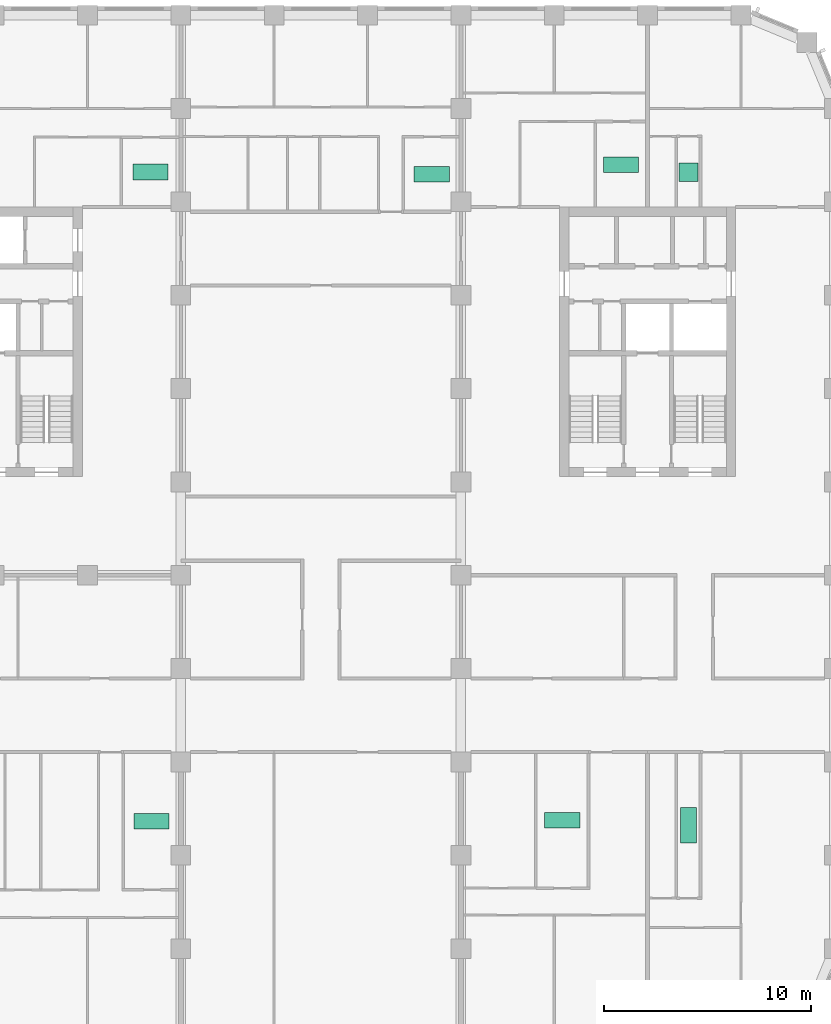
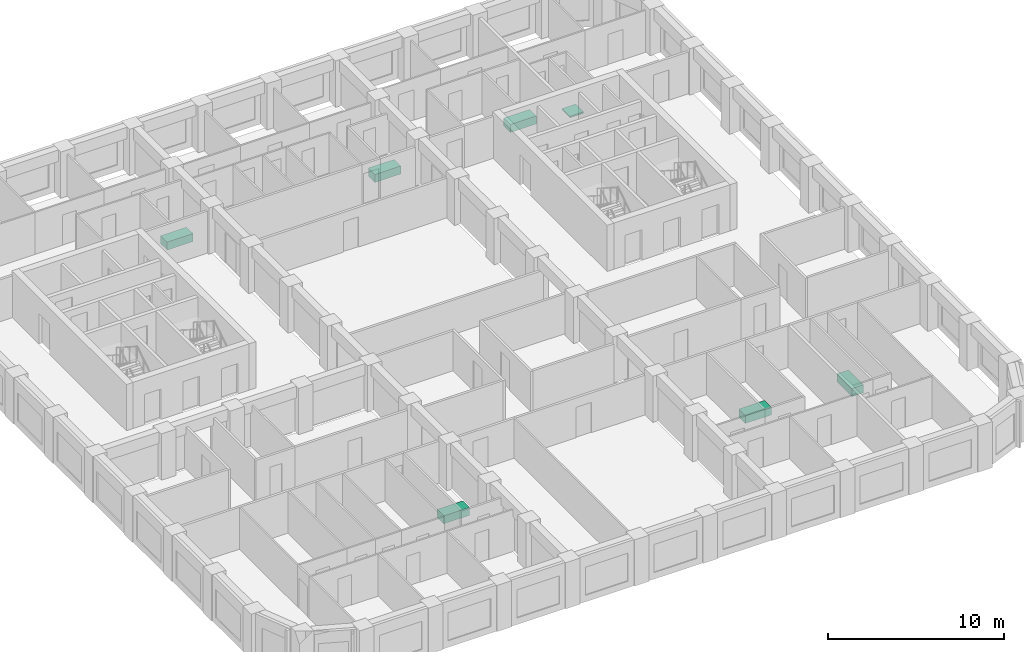
# One storey, part 13 of 13: 7 sanitary terminals.
"""IFC4 building model written with IfcOpenShell, lengths in metres."""

from ifc_helpers import new_model, si_unit, direction, frame, origin, origin_2d, place, context, subcontext, project, spatial, rectangle, extrude, material, type_object, element, save


model = new_model("IFC4")

# Units and contexts
model_context = context("Model", 3, precision=1e-05, world=origin(), true_north=direction((0.0, 1.0)))
body_context = subcontext(model_context, "Body", "Model", "MODEL_VIEW")
ifc_project = project(units=[si_unit("LENGTHUNIT", "METRE"), si_unit("AREAUNIT", "SQUARE_METRE"), si_unit("VOLUMEUNIT", "CUBIC_METRE"), si_unit("PLANEANGLEUNIT", "RADIAN"), si_unit("MASSUNIT", "GRAM", prefix="KILO")], contexts=[model_context])

# Site, building, storey
site_placement = place(None, origin())
site = spatial("IfcSite", under=ifc_project, at=site_placement, CompositionType="ELEMENT")
building_placement = place(site_placement, origin())
building = spatial("IfcBuilding", under=site, at=building_placement, Name="Girih Gate Residences", CompositionType="ELEMENT")
storey_placement = place(building_placement, frame((0.0, 0.0, 133.39990234375)))
storey = spatial("IfcBuildingStorey", under=building, at=storey_placement, Name="L37", CompositionType="ELEMENT", Elevation=133.39990234375)

# Sanitary terminals
ifc_material = material(Name="Acrylic")
sanitary_terminal_type_1 = type_object("IfcSanitaryTerminalType", Name="Bath 1700", PredefinedType="BATH", material=ifc_material)
for number, where, z_axis, x_axis, name in (
    (1, (16.5810546875, 10.64892578125, 0.0), (0.0, 0.0, 1.0), (1.0, 0.0, 0.0), "Bath 1700 L37"),
    (2, (16.541015625, 41.94091796875, 0.0), (0.0, 0.0, 1.0), (1.0, 0.0, 0.0), "Bath 1700 L37"),
):
    element("IfcSanitaryTerminal", number, at=place(storey_placement, frame(where, z_axis=z_axis, x_axis=x_axis)), inside=storey, type_object=sanitary_terminal_type_1, Name=name, PredefinedType="BATH", context=body_context, shape_type="SweptSolid", body=[
        extrude(rectangle(XDim=1.699951171875, YDim=0.75, at=origin_2d()), origin(), (0.0, 0.0, 1.0), 0.550048828125),
    ])
sanitary_terminal_1_placement = place(storey_placement, frame((42.470947265625, 10.448974609375, 0.0), z_axis=(0.0, 0.0, 1.0), x_axis=(1.0, 0.0, 0.0)))
element("IfcSanitaryTerminal", 3, at=sanitary_terminal_1_placement, inside=storey, type_object=sanitary_terminal_type_1, Name="Bath 1700 L37", PredefinedType="BATH", context=body_context, shape_type="SweptSolid", body=[
    extrude(rectangle(XDim=0.75, YDim=1.699951171875, at=origin_2d()), origin(), (0.0, 0.0, 1.0), 0.550048828125),
])
for number, where, z_axis, x_axis, name in (
    (4, (36.3798828125, 10.68896484375, 0.0), (0.0, 0.0, 1.0), (1.0, 0.0, 0.0), "Bath 1700 L37"),
    (5, (39.218017578125, 42.281005859375, 0.0), (0.0, 0.0, 1.0), (1.0, 0.0, 0.0), "Bath 1700 L37"),
    (6, (30.093994140625, 41.841064453125, 0.0), (0.0, 0.0, 1.0), (1.0, 0.0, 0.0), "Bath 1700 L37"),
):
    element("IfcSanitaryTerminal", number, at=place(storey_placement, frame(where, z_axis=z_axis, x_axis=x_axis)), inside=storey, type_object=sanitary_terminal_type_1, Name=name, PredefinedType="BATH", context=body_context, shape_type="SweptSolid", body=[
        extrude(rectangle(XDim=1.699951171875, YDim=0.75, at=origin_2d()), origin(), (0.0, 0.0, 1.0), 0.550048828125),
    ])
sanitary_terminal_type_2 = type_object("IfcSanitaryTerminalType", Name="Shower tray 900", PredefinedType="SHOWER", material=ifc_material)
sanitary_terminal_2_placement = place(storey_placement, frame((42.470947265625, 41.924072265625, 0.0), z_axis=(0.0, 0.0, 1.0), x_axis=(1.0, 0.0, 0.0)))
element("IfcSanitaryTerminal", 7, at=sanitary_terminal_2_placement, inside=storey, type_object=sanitary_terminal_type_2, Name="Shower tray 900 L37", PredefinedType="SHOWER", context=body_context, shape_type="SweptSolid", body=[
    extrude(rectangle(XDim=0.89990234375, YDim=0.89990234375, at=origin_2d()), origin(), (0.0, 0.0, 1.0), 0.10009765625),
])

save(model, "model.ifc")
